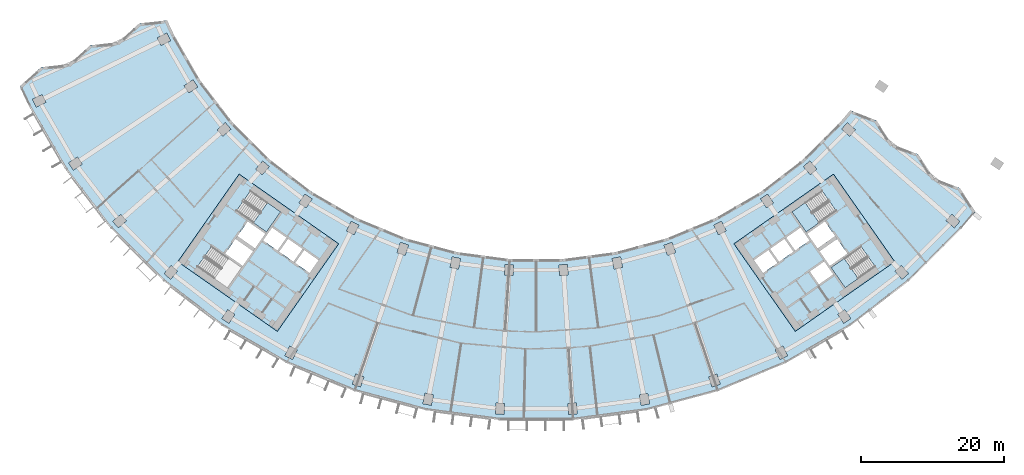
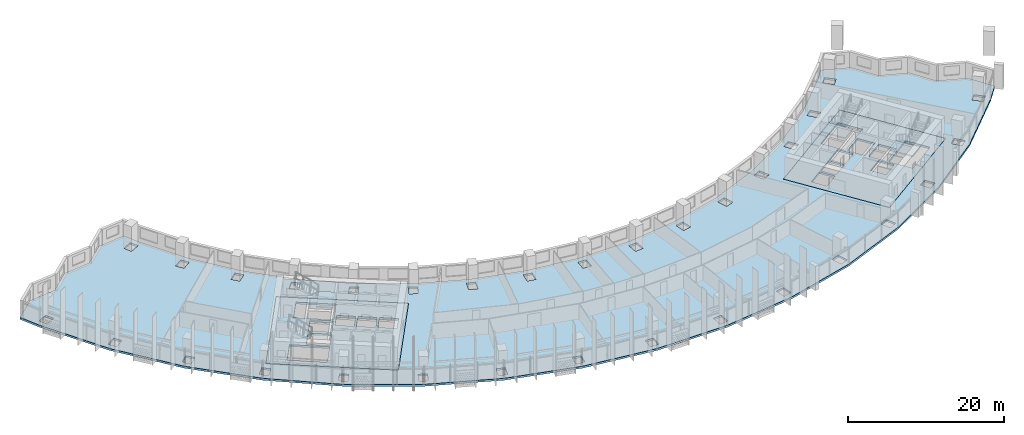
# One storey, part 2 of 30: 6 slabs, 3 elements without a shape of their own.
"""IFC4 building model written with IfcOpenShell, lengths in metres."""

from ifc_helpers import new_model, si_unit, direction, frame, origin, place, context, subcontext, project, spatial, polyline, outline, extrude, material, layer, layer_set, type_object, element, aggregate, save


model = new_model("IFC4")

# Units and contexts
model_context = context("Model", 3, precision=1e-05, world=origin(), true_north=direction((0.0, 1.0)))
body_context = subcontext(model_context, "Body", "Model", "MODEL_VIEW")
ifc_project = project(units=[si_unit("LENGTHUNIT", "METRE"), si_unit("AREAUNIT", "SQUARE_METRE"), si_unit("VOLUMEUNIT", "CUBIC_METRE"), si_unit("PLANEANGLEUNIT", "RADIAN"), si_unit("MASSUNIT", "GRAM", prefix="KILO")], contexts=[model_context])

# Site, building, storey
site_placement = place(None, origin())
site = spatial("IfcSite", under=ifc_project, at=site_placement, CompositionType="ELEMENT")
building_placement = place(site_placement, origin())
building = spatial("IfcBuilding", under=site, at=building_placement, Name="Qamariyya Broadcast Tower", CompositionType="ELEMENT")
storey_placement = place(building_placement, frame((0.0, 0.0, 125.300048828125)))
storey = spatial("IfcBuildingStorey", under=building, at=storey_placement, Name="L28", CompositionType="ELEMENT", Elevation=125.300048828125)

# Slabs
ifc_material_1 = material(Name="Concrete C40/50", Category="concrete")
ifc_layer_1 = layer(ifc_material_1, 0.300048828125)
ifc_layer_set_1 = layer_set([ifc_layer_1], Name="Core floor slab 300 mm Concrete C40/50")
slab_type_1 = type_object("IfcSlabType", Name="Core floor slab 300 mm Concrete C40/50", PredefinedType="FLOOR", material=ifc_layer_set_1)
slab_1_placement = place(storey_placement, frame((0.0, 0.0, -0.300048828125)))
element("IfcSlab", 1, at=slab_1_placement, inside=storey, type_object=slab_type_1, Name="k-W-L28-slab", PredefinedType="FLOOR", context=body_context, shape_type="SweptSolid", body=[
    extrude(outline(polyline([(-50.286376953125, -56.95751953125), (-36.32373046875, -66.734375), (-27.719970703125, -54.447021484375), (-41.6826171875, -44.67041015625), (-50.286376953125, -56.95751953125)]), holes=[polyline([(-31.80859375, -58.542724609375), (-33.8154296875, -57.137451171875), (-32.5537109375, -55.335205078125), (-30.546630859375, -56.740478515625), (-31.80859375, -58.542724609375)]), polyline([(-34.061279296875, -56.96533203125), (-36.068115234375, -55.56005859375), (-34.806396484375, -53.758056640625), (-32.79931640625, -55.163330078125), (-34.061279296875, -56.96533203125)]), polyline([(-36.31396484375, -55.387939453125), (-38.32080078125, -53.982666015625), (-37.058837890625, -52.1806640625), (-35.052001953125, -53.5859375), (-36.31396484375, -55.387939453125)]), polyline([(-39.742431640625, -55.489990234375), (-42.199951171875, -53.769287109375), (-43.6337890625, -55.817138671875), (-41.17626953125, -57.537841796875), (-39.742431640625, -55.489990234375)]), polyline([(-39.45556640625, -55.080322265625), (-41.9130859375, -53.359619140625), (-40.47900390625, -51.311767578125), (-38.021728515625, -53.032470703125), (-39.45556640625, -55.080322265625)]), polyline([(-42.06103515625, -49.837890625), (-37.849609375, -52.78662109375), (-35.870849609375, -49.960693359375), (-40.082275390625, -47.01171875), (-42.06103515625, -49.837890625)]), polyline([(-47.538818359375, -57.66064453125), (-43.3271484375, -60.609619140625), (-41.348388671875, -57.783447265625), (-45.559814453125, -54.834716796875), (-47.538818359375, -57.66064453125)])]), origin(), (0.0, 0.0, 1.0), 0.300048828125),
])
slab_2_placement = place(storey_placement, frame((0.0, 0.0, -0.300048828125)))
element("IfcSlab", 2, at=slab_2_placement, inside=storey, type_object=slab_type_1, Name="k-E-L28-slab", PredefinedType="FLOOR", context=body_context, shape_type="SweptSolid", body=[
    extrude(outline(polyline([(36.32373046875, -66.734375), (50.286376953125, -56.95751953125), (41.6826171875, -44.67041015625), (27.719970703125, -54.447021484375), (36.32373046875, -66.734375)]), holes=[polyline([(31.80859375, -58.542724609375), (33.8154296875, -57.137451171875), (32.5537109375, -55.335205078125), (30.546630859375, -56.740478515625), (31.80859375, -58.542724609375)]), polyline([(34.061279296875, -56.96533203125), (36.068115234375, -55.56005859375), (34.806396484375, -53.758056640625), (32.79931640625, -55.163330078125), (34.061279296875, -56.96533203125)]), polyline([(36.31396484375, -55.387939453125), (38.32080078125, -53.982666015625), (37.058837890625, -52.1806640625), (35.052001953125, -53.5859375), (36.31396484375, -55.387939453125)]), polyline([(38.378662109375, -58.3369140625), (40.3857421875, -56.931640625), (41.6474609375, -58.73388671875), (39.640625, -60.13916015625), (38.378662109375, -58.3369140625)]), polyline([(39.742431640625, -55.489990234375), (42.199951171875, -53.769287109375), (43.6337890625, -55.817138671875), (41.17626953125, -57.537841796875), (39.742431640625, -55.489990234375)]), polyline([(39.45556640625, -55.080322265625), (41.9130859375, -53.359619140625), (40.47900390625, -51.311767578125), (38.021728515625, -53.032470703125), (39.45556640625, -55.080322265625)]), polyline([(40.082275390625, -47.01171875), (35.870849609375, -49.960693359375), (37.849609375, -52.78662109375), (42.06103515625, -49.837890625), (40.082275390625, -47.01171875)]), polyline([(45.559814453125, -54.834716796875), (41.348388671875, -57.783447265625), (43.3271484375, -60.609619140625), (47.538818359375, -57.66064453125), (45.559814453125, -54.834716796875)])]), origin(), (0.0, 0.0, 1.0), 0.300048828125),
])
ifc_layer_2 = layer(ifc_material_1, 0.300048828125)
ifc_layer_set_2 = layer_set([ifc_layer_2], Name="Post-tensioned floor slab 300 C40/50")
slab_type_2 = type_object("IfcSlabType", Name="Post-tensioned floor slab 300 C40/50", PredefinedType="FLOOR", material=ifc_layer_set_2)
slab_3_placement = place(storey_placement, frame((0.0, 0.0, -0.300048828125)))
element("IfcSlab", 3, at=slab_3_placement, inside=storey, type_object=slab_type_2, Name="Floor slab S4 L28", PredefinedType="FLOOR", context=body_context, shape_type="SweptSolid", body=[
    extrude(outline(polyline([(-69.46240234375, -29.669189453125), (-72.422119140625, -32.303466796875), (-71.1220703125, -35.073486328125), (-65.935546875, -44.056640625), (-59.620849609375, -52.2861328125), (-52.2861328125, -59.620849609375), (-44.056640625, -65.935546875), (-35.073486328125, -71.1220703125), (-25.490234375, -75.091552734375), (-15.470703125, -77.7763671875), (-5.1865234375, -79.130126953125), (5.1865234375, -79.130126953125), (15.470703125, -77.7763671875), (25.490234375, -75.091552734375), (35.073486328125, -71.1220703125), (44.056640625, -65.935546875), (52.2861328125, -59.620849609375), (59.620849609375, -52.2861328125), (61.59375, -49.947021484375), (59.41650390625, -46.636474609375), (55.742431640625, -45.2021484375), (53.564453125, -41.890869140625), (49.89111328125, -40.457275390625), (47.712158203125, -37.145263671875), (44.0400390625, -35.71240234375), (42.62939453125, -37.385009765625), (37.385009765625, -42.62939453125), (31.500732421875, -47.144287109375), (25.077880859375, -50.852783203125), (18.2255859375, -53.69091796875), (11.0615234375, -55.610595703125), (3.708251953125, -56.57861328125), (-3.708251953125, -56.57861328125), (-11.0615234375, -55.610595703125), (-18.2255859375, -53.69091796875), (-25.077880859375, -50.852783203125), (-31.500732421875, -47.144287109375), (-37.385009765625, -42.62939453125), (-42.62939453125, -37.385009765625), (-47.144287109375, -31.500732421875), (-50.852783203125, -25.077880859375), (-51.782470703125, -23.09716796875), (-55.7001953125, -23.53076171875), (-58.662353515625, -26.165771484375), (-62.58154296875, -26.60009765625), (-65.542236328125, -29.234619140625), (-69.46240234375, -29.669189453125)]), holes=[polyline([(-5.73291015625, -78.292724609375), (-5.634765625, -76.7958984375), (-4.437255859375, -76.874267578125), (-4.535400390625, -78.37109375), (-5.73291015625, -78.292724609375)]), polyline([(-15.903076171875, -76.87451171875), (-15.6103515625, -75.4033203125), (-14.43359375, -75.637451171875), (-14.72607421875, -77.108642578125), (-15.903076171875, -76.87451171875)]), polyline([(-25.80126953125, -74.14111328125), (-25.319091796875, -72.720703125), (-24.1826171875, -73.1064453125), (-24.664794921875, -74.52685546875), (-25.80126953125, -74.14111328125)]), polyline([(-35.2578125, -70.13916015625), (-34.59423828125, -68.7939453125), (-33.51806640625, -69.324462890625), (-34.181640625, -70.669921875), (-35.2578125, -70.13916015625)]), polyline([(-44.111083984375, -64.93701171875), (-43.27783203125, -63.689697265625), (-42.280029296875, -64.3564453125), (-43.11328125, -65.603759765625), (-44.111083984375, -64.93701171875)]), polyline([(-52.209716796875, -58.623779296875), (-51.220703125, -57.49609375), (-50.318603515625, -58.287353515625), (-51.3076171875, -59.4150390625), (-52.209716796875, -58.623779296875)]), polyline([(-12.098876953125, -57.749267578125), (-11.80615234375, -56.278076171875), (-10.629150390625, -56.51220703125), (-10.921875, -57.9833984375), (-12.098876953125, -57.749267578125)]), polyline([(-41.6826171875, -44.67041015625), (-27.719970703125, -54.447021484375), (-36.32373046875, -66.734375), (-50.286376953125, -56.95751953125), (-41.6826171875, -44.67041015625)]), polyline([(-19.051025390625, -54.255615234375), (-17.91455078125, -54.641357421875), (-18.396728515625, -56.061767578125), (-19.533203125, -55.676025390625), (-19.051025390625, -54.255615234375)]), polyline([(-26.633056640625, -52.650146484375), (-25.9697265625, -51.3046875), (-24.8935546875, -51.83544921875), (-25.556884765625, -53.180908203125), (-26.633056640625, -52.650146484375)]), polyline([(-59.4150390625, -51.3076171875), (-58.287353515625, -50.318603515625), (-57.49609375, -51.220703125), (-58.623779296875, -52.209716796875), (-59.4150390625, -51.3076171875)]), polyline([(-33.277587890625, -48.723388671875), (-32.444091796875, -47.47607421875), (-31.4462890625, -48.142822265625), (-32.27978515625, -49.39013671875), (-33.277587890625, -48.723388671875)]), polyline([(-39.3525390625, -43.962890625), (-38.363525390625, -42.835205078125), (-37.461181640625, -43.62646484375), (-38.4501953125, -44.754150390625), (-39.3525390625, -43.962890625)]), polyline([(-65.603759765625, -43.11328125), (-64.3564453125, -42.280029296875), (-63.689697265625, -43.27783203125), (-64.93701171875, -44.111083984375), (-65.603759765625, -43.11328125)]), polyline([(-44.754150390625, -38.4501953125), (-43.62646484375, -37.461181640625), (-42.835205078125, -38.363525390625), (-43.962890625, -39.3525390625), (-44.754150390625, -38.4501953125)]), polyline([(-70.669921875, -34.181640625), (-69.324462890625, -33.51806640625), (-68.7939453125, -34.59423828125), (-70.13916015625, -35.2578125), (-70.669921875, -34.181640625)]), polyline([(-48.142822265625, -31.4462890625), (-47.47607421875, -32.444091796875), (-48.723388671875, -33.277587890625), (-49.39013671875, -32.27978515625), (-48.142822265625, -31.4462890625)]), polyline([(-51.83544921875, -24.8935546875), (-51.3046875, -25.9697265625), (-52.650146484375, -26.633056640625), (-53.180908203125, -25.556884765625), (-51.83544921875, -24.8935546875)]), polyline([(4.535400390625, -78.37109375), (4.437255859375, -76.874267578125), (5.634765625, -76.7958984375), (5.73291015625, -78.292724609375), (4.535400390625, -78.37109375)]), polyline([(14.72607421875, -77.108642578125), (14.43359375, -75.637451171875), (15.6103515625, -75.4033203125), (15.903076171875, -76.87451171875), (14.72607421875, -77.108642578125)]), polyline([(24.664794921875, -74.52685546875), (24.1826171875, -73.1064453125), (25.319091796875, -72.720703125), (25.80126953125, -74.14111328125), (24.664794921875, -74.52685546875)]), polyline([(34.181640625, -70.669921875), (33.51806640625, -69.324462890625), (34.59423828125, -68.7939453125), (35.2578125, -70.13916015625), (34.181640625, -70.669921875)]), polyline([(43.11328125, -65.603759765625), (42.280029296875, -64.3564453125), (43.27783203125, -63.689697265625), (44.111083984375, -64.93701171875), (43.11328125, -65.603759765625)]), polyline([(51.3076171875, -59.4150390625), (50.318603515625, -58.287353515625), (51.220703125, -57.49609375), (52.209716796875, -58.623779296875), (51.3076171875, -59.4150390625)]), polyline([(3.260009765625, -58.912841796875), (3.161865234375, -57.416015625), (4.359375, -57.337646484375), (4.45751953125, -58.83447265625), (3.260009765625, -58.912841796875)]), polyline([(-4.359375, -57.337646484375), (-3.161865234375, -57.416015625), (-3.260009765625, -58.912841796875), (-4.45751953125, -58.83447265625), (-4.359375, -57.337646484375)]), polyline([(10.629150390625, -56.51220703125), (11.80615234375, -56.278076171875), (12.098876953125, -57.749267578125), (10.921875, -57.9833984375), (10.629150390625, -56.51220703125)]), polyline([(36.32373046875, -66.734375), (27.719970703125, -54.447021484375), (41.6826171875, -44.67041015625), (50.286376953125, -56.95751953125), (36.32373046875, -66.734375)]), polyline([(18.396728515625, -56.061767578125), (17.91455078125, -54.641357421875), (19.051025390625, -54.255615234375), (19.533203125, -55.676025390625), (18.396728515625, -56.061767578125)]), polyline([(25.556884765625, -53.180908203125), (24.8935546875, -51.83544921875), (25.9697265625, -51.3046875), (26.633056640625, -52.650146484375), (25.556884765625, -53.180908203125)]), polyline([(58.623779296875, -52.209716796875), (57.49609375, -51.220703125), (58.287353515625, -50.318603515625), (59.4150390625, -51.3076171875), (58.623779296875, -52.209716796875)]), polyline([(32.27978515625, -49.39013671875), (31.4462890625, -48.142822265625), (32.444091796875, -47.47607421875), (33.277587890625, -48.723388671875), (32.27978515625, -49.39013671875)]), polyline([(38.4501953125, -44.754150390625), (37.461181640625, -43.62646484375), (38.363525390625, -42.835205078125), (39.3525390625, -43.962890625), (38.4501953125, -44.754150390625)]), polyline([(42.835205078125, -38.363525390625), (43.62646484375, -37.461181640625), (44.754150390625, -38.4501953125), (43.962890625, -39.3525390625), (42.835205078125, -38.363525390625)])]), origin(), (0.0, 0.0, 1.0), 0.300048828125),
])

# Stair, slab
ifc_material_2 = material(Name="Concrete C50/60", Category="concrete")
stair_type = type_object("IfcStairType", Name="Exit stair 22 risers of 173 mm", PredefinedType="HALF_TURN_STAIR", material=ifc_material_2)
stair_1_placement = place(storey_placement, origin())
stair_1 = element("IfcStair", 4, at=stair_1_placement, inside=storey, type_object=stair_type, Name="L28 Stair W2", PredefinedType="HALF_TURN_STAIR")
ifc_layer_3 = layer(ifc_material_2, 0.199951171875)
ifc_layer_set_3 = layer_set([ifc_layer_3], Name="Stair landing")
slab_type_3 = type_object("IfcSlabType", Name="Stair landing", PredefinedType="LANDING", material=ifc_layer_set_3)
slab_4_placement = place(storey_placement, frame((0.0, 0.0, 1.699951171875)))
slab_4 = element("IfcSlab", 5, at=slab_4_placement, type_object=slab_type_3, Name="ST-W2 landing 1", PredefinedType="LANDING", context=body_context, shape_type="SweptSolid", body=[
    extrude(outline(polyline([(-39.692138671875, -51.49658203125), (-37.849609375, -52.78662109375), (-35.870849609375, -49.960693359375), (-37.71337890625, -48.67041015625), (-39.692138671875, -51.49658203125)])), origin(), (0.0, 0.0, 1.0), 0.199951171875),
])
aggregate(stair_1, [slab_4])

stair_2_placement = place(storey_placement, origin())
stair_2 = element("IfcStair", 6, at=stair_2_placement, inside=storey, type_object=stair_type, Name="L28 Stair E2", PredefinedType="HALF_TURN_STAIR")
slab_5_placement = place(storey_placement, frame((0.0, 0.0, 1.699951171875)))
slab_5 = element("IfcSlab", 7, at=slab_5_placement, type_object=slab_type_3, Name="ST-E2 landing 1", PredefinedType="LANDING", context=body_context, shape_type="SweptSolid", body=[
    extrude(outline(polyline([(37.71337890625, -48.67041015625), (35.870849609375, -49.960693359375), (37.849609375, -52.78662109375), (39.692138671875, -51.49658203125), (37.71337890625, -48.67041015625)])), origin(), (0.0, 0.0, 1.0), 0.199951171875),
])
aggregate(stair_2, [slab_5])

stair_3_placement = place(storey_placement, origin())
stair_3 = element("IfcStair", 8, at=stair_3_placement, inside=storey, type_object=stair_type, Name="L28 Stair E1", PredefinedType="HALF_TURN_STAIR")
slab_6_placement = place(storey_placement, frame((0.0, 0.0, 1.699951171875)))
slab_6 = element("IfcSlab", 9, at=slab_6_placement, type_object=slab_type_3, Name="ST-E1 landing 1", PredefinedType="LANDING", context=body_context, shape_type="SweptSolid", body=[
    extrude(outline(polyline([(43.19091796875, -56.493408203125), (41.348388671875, -57.783447265625), (43.3271484375, -60.609619140625), (45.169677734375, -59.319580078125), (43.19091796875, -56.493408203125)])), origin(), (0.0, 0.0, 1.0), 0.199951171875),
])
aggregate(stair_3, [slab_6])

save(model, "model.ifc")
